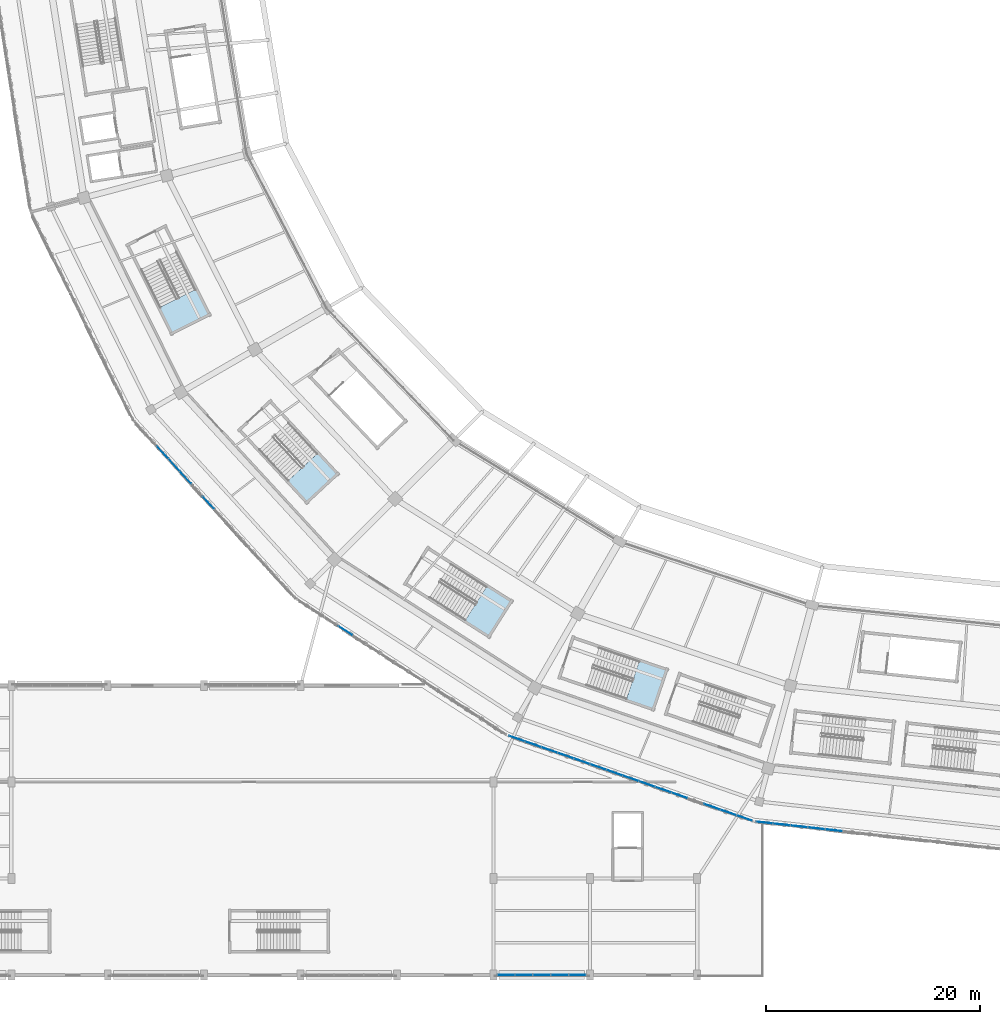
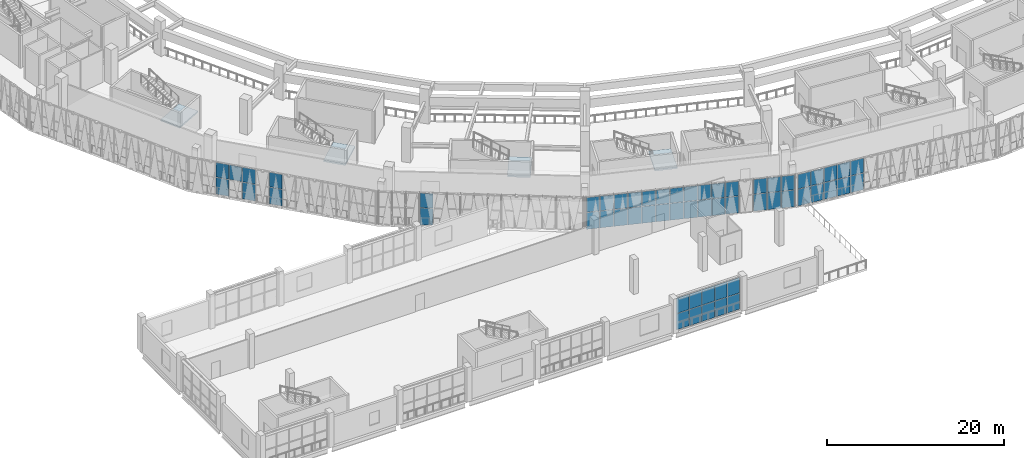
# One storey, part 77 of 179: 57 plates, 4 slabs, 9 elements without a shape of their own.
"""IFC4 building model written with IfcOpenShell, lengths in metres."""

from ifc_helpers import new_model, si_unit, direction, frame, origin, origin_2d, place, context, subcontext, project, spatial, polyline, rectangle, outline, extrude, material, layer, layer_set, type_object, element, aggregate, save


model = new_model("IFC4")

# Units and contexts
model_context = context("Model", 3, precision=1e-05, world=origin(), true_north=direction((0.0, 1.0)))
body_context = subcontext(model_context, "Body", "Model", "MODEL_VIEW")
ifc_project = project(units=[si_unit("LENGTHUNIT", "METRE"), si_unit("AREAUNIT", "SQUARE_METRE"), si_unit("VOLUMEUNIT", "CUBIC_METRE"), si_unit("PLANEANGLEUNIT", "RADIAN"), si_unit("MASSUNIT", "GRAM", prefix="KILO")], contexts=[model_context])

# Site, building, storey
site_placement = place(None, origin())
site = spatial("IfcSite", under=ifc_project, at=site_placement, CompositionType="ELEMENT")
building_placement = place(site_placement, origin())
building = spatial("IfcBuilding", under=site, at=building_placement, Name="Zevraka Park Crest Stadium", CompositionType="ELEMENT")
storey_placement = place(building_placement, frame((0.0, 0.0, 10.199951171875)))
storey = spatial("IfcBuildingStorey", under=building, at=storey_placement, Name="L02", CompositionType="ELEMENT", Elevation=10.199951171875)

# Curtain wall, plates
ifc_material_1 = material(Name="Anodised architectural aluminium and laminated safety glass", Category="aluminium")
curtain_wall_type_1 = type_object("IfcCurtainWallType", Name="CW06", PredefinedType="NOTDEFINED", material=ifc_material_1)
curtain_wall_1_placement = place(storey_placement, origin())
curtain_wall_1 = element("IfcCurtainWall", 1, at=curtain_wall_1_placement, inside=storey, type_object=curtain_wall_type_1, Name="Unitised Ring Curtain Wall CW06 L02-17", PredefinedType="NOTDEFINED")
ifc_material_2 = material(Name="Solar-control laminated double glazing", Category="glass")
ifc_layer_1 = layer(ifc_material_2, 0.028076171875)
ifc_layer_set_1 = layer_set([ifc_layer_1], Name="Solar-control laminated double glazing")
plate_type_1 = type_object("IfcPlateType", Name="CP06", PredefinedType="CURTAIN_PANEL", material=ifc_layer_set_1)
plate_1_placement = place(storey_placement, frame((88.262939453125, 14.214599609375, 0.070068359375), z_axis=(0.0, 0.0, 1.0), x_axis=(0.993899099743, -0.110293152687, 0.0)))
plate_1 = element("IfcPlate", 2, at=plate_1_placement, type_object=plate_type_1, Name="CW06 panel 1.1", PredefinedType="CURTAIN_PANEL", context=body_context, shape_type="SweptSolid", body=[
    extrude(rectangle(XDim=1.5341796875, YDim=0.028076171875, at=origin_2d()), origin(), (0.0, 0.0, 1.0), 2.294921875),
])
plate_2_placement = place(storey_placement, frame((88.262939453125, 14.214599609375, 2.43505859375), z_axis=(0.0, 0.0, 1.0), x_axis=(0.993899099743, -0.110293152687, 0.0)))
plate_2 = element("IfcPlate", 3, at=plate_2_placement, type_object=plate_type_1, Name="CW06 panel 1.2", PredefinedType="CURTAIN_PANEL", context=body_context, shape_type="SweptSolid", body=[
    extrude(rectangle(XDim=1.5341796875, YDim=0.028076171875, at=origin_2d()), origin(), (0.0, 0.0, 1.0), 1.9951171875),
])
plate_3_placement = place(storey_placement, frame((89.875, 14.035888671875, 0.070068359375), z_axis=(0.0, 0.0, 1.0), x_axis=(0.993899099743, -0.110293152687, 0.0)))
plate_3 = element("IfcPlate", 4, at=plate_3_placement, type_object=plate_type_1, Name="CW06 panel 2.1", PredefinedType="CURTAIN_PANEL", context=body_context, shape_type="SweptSolid", body=[
    extrude(rectangle(XDim=1.5693359375, YDim=0.028076171875, at=origin_2d()), origin(), (0.0, 0.0, 1.0), 2.294921875),
])
plate_4_placement = place(storey_placement, frame((89.875, 14.035888671875, 2.43505859375), z_axis=(0.0, 0.0, 1.0), x_axis=(0.993899099743, -0.110293152687, 0.0)))
plate_4 = element("IfcPlate", 5, at=plate_4_placement, type_object=plate_type_1, Name="CW06 panel 2.2", PredefinedType="CURTAIN_PANEL", context=body_context, shape_type="SweptSolid", body=[
    extrude(rectangle(XDim=1.5693359375, YDim=0.028076171875, at=origin_2d()), origin(), (0.0, 0.0, 1.0), 1.9951171875),
])
plate_5_placement = place(storey_placement, frame((91.504150390625, 13.85498046875, 0.070068359375), z_axis=(0.0, 0.0, 1.0), x_axis=(0.993899099743, -0.110293152687, 0.0)))
plate_5 = element("IfcPlate", 6, at=plate_5_placement, type_object=plate_type_1, Name="CW06 panel 3.1", PredefinedType="CURTAIN_PANEL", context=body_context, shape_type="SweptSolid", body=[
    extrude(rectangle(XDim=1.5693359375, YDim=0.028076171875, at=origin_2d()), origin(), (0.0, 0.0, 1.0), 2.294921875),
])
plate_6_placement = place(storey_placement, frame((91.504150390625, 13.85498046875, 2.43505859375), z_axis=(0.0, 0.0, 1.0), x_axis=(0.993899099743, -0.110293152687, 0.0)))
plate_6 = element("IfcPlate", 7, at=plate_6_placement, type_object=plate_type_1, Name="CW06 panel 3.2", PredefinedType="CURTAIN_PANEL", context=body_context, shape_type="SweptSolid", body=[
    extrude(rectangle(XDim=1.5693359375, YDim=0.028076171875, at=origin_2d()), origin(), (0.0, 0.0, 1.0), 1.9951171875),
])
plate_7_placement = place(storey_placement, frame((93.133544921875, 13.67431640625, 0.070068359375), z_axis=(0.0, 0.0, 1.0), x_axis=(0.993899099743, -0.110293152687, 0.0)))
plate_7 = element("IfcPlate", 8, at=plate_7_placement, type_object=plate_type_1, Name="CW06 panel 4.1", PredefinedType="CURTAIN_PANEL", context=body_context, shape_type="SweptSolid", body=[
    extrude(rectangle(XDim=1.5693359375, YDim=0.028076171875, at=origin_2d()), origin(), (0.0, 0.0, 1.0), 2.294921875),
])
plate_8_placement = place(storey_placement, frame((93.133544921875, 13.67431640625, 2.43505859375), z_axis=(0.0, 0.0, 1.0), x_axis=(0.993899099743, -0.110293152687, 0.0)))
plate_8 = element("IfcPlate", 9, at=plate_8_placement, type_object=plate_type_1, Name="CW06 panel 4.2", PredefinedType="CURTAIN_PANEL", context=body_context, shape_type="SweptSolid", body=[
    extrude(rectangle(XDim=1.5693359375, YDim=0.028076171875, at=origin_2d()), origin(), (0.0, 0.0, 1.0), 1.9951171875),
])
plate_9_placement = place(storey_placement, frame((94.7626953125, 13.493408203125, 0.070068359375), z_axis=(0.0, 0.0, 1.0), x_axis=(0.993899099743, -0.110293152687, 0.0)))
plate_9 = element("IfcPlate", 10, at=plate_9_placement, type_object=plate_type_1, Name="CW06 panel 5.1", PredefinedType="CURTAIN_PANEL", context=body_context, shape_type="SweptSolid", body=[
    extrude(rectangle(XDim=1.5693359375, YDim=0.028076171875, at=origin_2d()), origin(), (0.0, 0.0, 1.0), 2.294921875),
])
plate_10_placement = place(storey_placement, frame((94.7626953125, 13.493408203125, 2.43505859375), z_axis=(0.0, 0.0, 1.0), x_axis=(0.993899099743, -0.110293152687, 0.0)))
plate_10 = element("IfcPlate", 11, at=plate_10_placement, type_object=plate_type_1, Name="CW06 panel 5.2", PredefinedType="CURTAIN_PANEL", context=body_context, shape_type="SweptSolid", body=[
    extrude(rectangle(XDim=1.5693359375, YDim=0.028076171875, at=origin_2d()), origin(), (0.0, 0.0, 1.0), 1.9951171875),
])
aggregate(curtain_wall_1, [plate_1, plate_2, plate_3, plate_4, plate_5, plate_6, plate_7, plate_8, plate_9, plate_10])

ifc_material_3 = material(Name="Anodised architectural aluminium and laminated safety glass", Category="aluminium")
curtain_wall_type_2 = type_object("IfcCurtainWallType", Name="CW07", PredefinedType="NOTDEFINED", material=ifc_material_3)
curtain_wall_2_placement = place(storey_placement, origin())
curtain_wall_2 = element("IfcCurtainWall", 12, at=curtain_wall_2_placement, inside=storey, type_object=curtain_wall_type_2, Name="Unitised Ring Curtain Wall CW07 L02-16", PredefinedType="NOTDEFINED")
ifc_material_4 = material(Name="Solar-control laminated double glazing", Category="glass")
ifc_layer_2 = layer(ifc_material_4, 0.028076171875)
ifc_layer_set_2 = layer_set([ifc_layer_2], Name="Solar-control laminated double glazing")
plate_type_2 = type_object("IfcPlateType", Name="CP07", PredefinedType="CURTAIN_PANEL", material=ifc_layer_set_2)
plate_11_placement = place(storey_placement, frame((65.18212890625, 22.044189453125, 0.06005859375), z_axis=(0.0, 0.0, 1.0), x_axis=(0.944114076789, -0.329618886002, 0.0)))
plate_11 = element("IfcPlate", 13, at=plate_11_placement, type_object=plate_type_2, Name="CW07 panel 1.1", PredefinedType="CURTAIN_PANEL", context=body_context, shape_type="SweptSolid", body=[
    extrude(rectangle(XDim=1.517822265625, YDim=0.028076171875, at=origin_2d()), origin(), (0.0, 0.0, 1.0), 2.31005859375),
])
plate_12_placement = place(storey_placement, frame((65.18212890625, 22.044189453125, 2.43017578125), z_axis=(0.0, 0.0, 1.0), x_axis=(0.944114076789, -0.329618886002, 0.0)))
plate_12 = element("IfcPlate", 14, at=plate_12_placement, type_object=plate_type_2, Name="CW07 panel 1.2", PredefinedType="CURTAIN_PANEL", context=body_context, shape_type="SweptSolid", body=[
    extrude(rectangle(XDim=1.517822265625, YDim=0.028076171875, at=origin_2d()), origin(), (0.0, 0.0, 1.0), 2.010009765625),
])
plate_13_placement = place(storey_placement, frame((66.685791015625, 21.51904296875, 0.06005859375), z_axis=(0.0, 0.0, 1.0), x_axis=(0.944114076789, -0.329618886002, 0.0)))
plate_13 = element("IfcPlate", 15, at=plate_13_placement, type_object=plate_type_2, Name="CW07 panel 2.1", PredefinedType="CURTAIN_PANEL", context=body_context, shape_type="SweptSolid", body=[
    extrude(rectangle(XDim=1.547607421875, YDim=0.028076171875, at=origin_2d()), origin(), (0.0, 0.0, 1.0), 2.31005859375),
])
plate_14_placement = place(storey_placement, frame((66.685791015625, 21.51904296875, 2.43017578125), z_axis=(0.0, 0.0, 1.0), x_axis=(0.944114076789, -0.329618886002, 0.0)))
plate_14 = element("IfcPlate", 16, at=plate_14_placement, type_object=plate_type_2, Name="CW07 panel 2.2", PredefinedType="CURTAIN_PANEL", context=body_context, shape_type="SweptSolid", body=[
    extrude(rectangle(XDim=1.547607421875, YDim=0.028076171875, at=origin_2d()), origin(), (0.0, 0.0, 1.0), 2.010009765625),
])
plate_15_placement = place(storey_placement, frame((68.20361328125, 20.9892578125, 0.06005859375), z_axis=(0.0, 0.0, 1.0), x_axis=(0.944114076789, -0.329618886002, 0.0)))
plate_15 = element("IfcPlate", 17, at=plate_15_placement, type_object=plate_type_2, Name="CW07 panel 3.1", PredefinedType="CURTAIN_PANEL", context=body_context, shape_type="SweptSolid", body=[
    extrude(rectangle(XDim=1.547607421875, YDim=0.028076171875, at=origin_2d()), origin(), (0.0, 0.0, 1.0), 2.31005859375),
])
plate_16_placement = place(storey_placement, frame((68.20361328125, 20.9892578125, 2.43017578125), z_axis=(0.0, 0.0, 1.0), x_axis=(0.944114076789, -0.329618886002, 0.0)))
plate_16 = element("IfcPlate", 18, at=plate_16_placement, type_object=plate_type_2, Name="CW07 panel 3.2", PredefinedType="CURTAIN_PANEL", context=body_context, shape_type="SweptSolid", body=[
    extrude(rectangle(XDim=1.547607421875, YDim=0.028076171875, at=origin_2d()), origin(), (0.0, 0.0, 1.0), 2.010009765625),
])
plate_17_placement = place(storey_placement, frame((69.721435546875, 20.459228515625, 0.06005859375), z_axis=(0.0, 0.0, 1.0), x_axis=(0.944114076789, -0.329618886002, 0.0)))
plate_17 = element("IfcPlate", 19, at=plate_17_placement, type_object=plate_type_2, Name="CW07 panel 4.1", PredefinedType="CURTAIN_PANEL", context=body_context, shape_type="SweptSolid", body=[
    extrude(rectangle(XDim=1.547607421875, YDim=0.028076171875, at=origin_2d()), origin(), (0.0, 0.0, 1.0), 2.31005859375),
])
plate_18_placement = place(storey_placement, frame((69.721435546875, 20.459228515625, 2.43017578125), z_axis=(0.0, 0.0, 1.0), x_axis=(0.944114076789, -0.329618886002, 0.0)))
plate_18 = element("IfcPlate", 20, at=plate_18_placement, type_object=plate_type_2, Name="CW07 panel 4.2", PredefinedType="CURTAIN_PANEL", context=body_context, shape_type="SweptSolid", body=[
    extrude(rectangle(XDim=1.547607421875, YDim=0.028076171875, at=origin_2d()), origin(), (0.0, 0.0, 1.0), 2.010009765625),
])
plate_19_placement = place(storey_placement, frame((71.239501953125, 19.92919921875, 0.06005859375), z_axis=(0.0, 0.0, 1.0), x_axis=(0.944114076789, -0.329618886002, 0.0)))
plate_19 = element("IfcPlate", 21, at=plate_19_placement, type_object=plate_type_2, Name="CW07 panel 5.1", PredefinedType="CURTAIN_PANEL", context=body_context, shape_type="SweptSolid", body=[
    extrude(rectangle(XDim=1.547607421875, YDim=0.028076171875, at=origin_2d()), origin(), (0.0, 0.0, 1.0), 2.31005859375),
])
plate_20_placement = place(storey_placement, frame((71.239501953125, 19.92919921875, 2.43017578125), z_axis=(0.0, 0.0, 1.0), x_axis=(0.944114076789, -0.329618886002, 0.0)))
plate_20 = element("IfcPlate", 22, at=plate_20_placement, type_object=plate_type_2, Name="CW07 panel 5.2", PredefinedType="CURTAIN_PANEL", context=body_context, shape_type="SweptSolid", body=[
    extrude(rectangle(XDim=1.547607421875, YDim=0.028076171875, at=origin_2d()), origin(), (0.0, 0.0, 1.0), 2.010009765625),
])
plate_21_placement = place(storey_placement, frame((72.75732421875, 19.3994140625, 0.06005859375), z_axis=(0.0, 0.0, 1.0), x_axis=(0.944114076789, -0.329618886002, 0.0)))
plate_21 = element("IfcPlate", 23, at=plate_21_placement, type_object=plate_type_2, Name="CW07 panel 6.1", PredefinedType="CURTAIN_PANEL", context=body_context, shape_type="SweptSolid", body=[
    extrude(rectangle(XDim=1.547607421875, YDim=0.028076171875, at=origin_2d()), origin(), (0.0, 0.0, 1.0), 2.31005859375),
])
plate_22_placement = place(storey_placement, frame((72.75732421875, 19.3994140625, 2.43017578125), z_axis=(0.0, 0.0, 1.0), x_axis=(0.944114076789, -0.329618886002, 0.0)))
plate_22 = element("IfcPlate", 24, at=plate_22_placement, type_object=plate_type_2, Name="CW07 panel 6.2", PredefinedType="CURTAIN_PANEL", context=body_context, shape_type="SweptSolid", body=[
    extrude(rectangle(XDim=1.547607421875, YDim=0.028076171875, at=origin_2d()), origin(), (0.0, 0.0, 1.0), 2.010009765625),
])
plate_23_placement = place(storey_placement, frame((74.275146484375, 18.869384765625, 0.06005859375), z_axis=(0.0, 0.0, 1.0), x_axis=(0.944114076789, -0.329618886002, 0.0)))
plate_23 = element("IfcPlate", 25, at=plate_23_placement, type_object=plate_type_2, Name="CW07 panel 7.1", PredefinedType="CURTAIN_PANEL", context=body_context, shape_type="SweptSolid", body=[
    extrude(rectangle(XDim=1.547607421875, YDim=0.028076171875, at=origin_2d()), origin(), (0.0, 0.0, 1.0), 2.31005859375),
])
plate_24_placement = place(storey_placement, frame((74.275146484375, 18.869384765625, 2.43017578125), z_axis=(0.0, 0.0, 1.0), x_axis=(0.944114076789, -0.329618886002, 0.0)))
plate_24 = element("IfcPlate", 26, at=plate_24_placement, type_object=plate_type_2, Name="CW07 panel 7.2", PredefinedType="CURTAIN_PANEL", context=body_context, shape_type="SweptSolid", body=[
    extrude(rectangle(XDim=1.547607421875, YDim=0.028076171875, at=origin_2d()), origin(), (0.0, 0.0, 1.0), 2.010009765625),
])
plate_25_placement = place(storey_placement, frame((75.79296875, 18.339599609375, 0.06005859375), z_axis=(0.0, 0.0, 1.0), x_axis=(0.944114076789, -0.329618886002, 0.0)))
plate_25 = element("IfcPlate", 27, at=plate_25_placement, type_object=plate_type_2, Name="CW07 panel 8.1", PredefinedType="CURTAIN_PANEL", context=body_context, shape_type="SweptSolid", body=[
    extrude(rectangle(XDim=1.547607421875, YDim=0.028076171875, at=origin_2d()), origin(), (0.0, 0.0, 1.0), 2.31005859375),
])
plate_26_placement = place(storey_placement, frame((75.79296875, 18.339599609375, 2.43017578125), z_axis=(0.0, 0.0, 1.0), x_axis=(0.944114076789, -0.329618886002, 0.0)))
plate_26 = element("IfcPlate", 28, at=plate_26_placement, type_object=plate_type_2, Name="CW07 panel 8.2", PredefinedType="CURTAIN_PANEL", context=body_context, shape_type="SweptSolid", body=[
    extrude(rectangle(XDim=1.547607421875, YDim=0.028076171875, at=origin_2d()), origin(), (0.0, 0.0, 1.0), 2.010009765625),
])
plate_27_placement = place(storey_placement, frame((77.310791015625, 17.8095703125, 0.06005859375), z_axis=(0.0, 0.0, 1.0), x_axis=(0.944114076789, -0.329618886002, 0.0)))
plate_27 = element("IfcPlate", 29, at=plate_27_placement, type_object=plate_type_2, Name="CW07 panel 9.1", PredefinedType="CURTAIN_PANEL", context=body_context, shape_type="SweptSolid", body=[
    extrude(rectangle(XDim=1.547607421875, YDim=0.028076171875, at=origin_2d()), origin(), (0.0, 0.0, 1.0), 2.31005859375),
])
plate_28_placement = place(storey_placement, frame((77.310791015625, 17.8095703125, 2.43017578125), z_axis=(0.0, 0.0, 1.0), x_axis=(0.944114076789, -0.329618886002, 0.0)))
plate_28 = element("IfcPlate", 30, at=plate_28_placement, type_object=plate_type_2, Name="CW07 panel 9.2", PredefinedType="CURTAIN_PANEL", context=body_context, shape_type="SweptSolid", body=[
    extrude(rectangle(XDim=1.547607421875, YDim=0.028076171875, at=origin_2d()), origin(), (0.0, 0.0, 1.0), 2.010009765625),
])
plate_29_placement = place(storey_placement, frame((78.82861328125, 17.279541015625, 0.06005859375), z_axis=(0.0, 0.0, 1.0), x_axis=(0.944114076789, -0.329618886002, 0.0)))
plate_29 = element("IfcPlate", 31, at=plate_29_placement, type_object=plate_type_2, Name="CW07 panel 10.1", PredefinedType="CURTAIN_PANEL", context=body_context, shape_type="SweptSolid", body=[
    extrude(rectangle(XDim=1.547607421875, YDim=0.028076171875, at=origin_2d()), origin(), (0.0, 0.0, 1.0), 2.31005859375),
])
plate_30_placement = place(storey_placement, frame((78.82861328125, 17.279541015625, 2.43017578125), z_axis=(0.0, 0.0, 1.0), x_axis=(0.944114076789, -0.329618886002, 0.0)))
plate_30 = element("IfcPlate", 32, at=plate_30_placement, type_object=plate_type_2, Name="CW07 panel 10.2", PredefinedType="CURTAIN_PANEL", context=body_context, shape_type="SweptSolid", body=[
    extrude(rectangle(XDim=1.547607421875, YDim=0.028076171875, at=origin_2d()), origin(), (0.0, 0.0, 1.0), 2.010009765625),
])
plate_31_placement = place(storey_placement, frame((80.3466796875, 16.749755859375, 0.06005859375), z_axis=(0.0, 0.0, 1.0), x_axis=(0.944114076789, -0.329618886002, 0.0)))
plate_31 = element("IfcPlate", 33, at=plate_31_placement, type_object=plate_type_2, Name="CW07 panel 11.1", PredefinedType="CURTAIN_PANEL", context=body_context, shape_type="SweptSolid", body=[
    extrude(rectangle(XDim=1.547607421875, YDim=0.028076171875, at=origin_2d()), origin(), (0.0, 0.0, 1.0), 2.31005859375),
])
plate_32_placement = place(storey_placement, frame((80.3466796875, 16.749755859375, 2.43017578125), z_axis=(0.0, 0.0, 1.0), x_axis=(0.944114076789, -0.329618886002, 0.0)))
plate_32 = element("IfcPlate", 34, at=plate_32_placement, type_object=plate_type_2, Name="CW07 panel 11.2", PredefinedType="CURTAIN_PANEL", context=body_context, shape_type="SweptSolid", body=[
    extrude(rectangle(XDim=1.547607421875, YDim=0.028076171875, at=origin_2d()), origin(), (0.0, 0.0, 1.0), 2.010009765625),
])
plate_33_placement = place(storey_placement, frame((83.38232421875, 15.68994140625, 0.06005859375), z_axis=(0.0, 0.0, 1.0), x_axis=(0.944114076789, -0.329618886002, 0.0)))
plate_33 = element("IfcPlate", 35, at=plate_33_placement, type_object=plate_type_2, Name="CW07 panel 13.1", PredefinedType="CURTAIN_PANEL", context=body_context, shape_type="SweptSolid", body=[
    extrude(rectangle(XDim=1.547607421875, YDim=0.028076171875, at=origin_2d()), origin(), (0.0, 0.0, 1.0), 2.31005859375),
])
plate_34_placement = place(storey_placement, frame((83.38232421875, 15.68994140625, 2.43017578125), z_axis=(0.0, 0.0, 1.0), x_axis=(0.944114076789, -0.329618886002, 0.0)))
plate_34 = element("IfcPlate", 36, at=plate_34_placement, type_object=plate_type_2, Name="CW07 panel 13.2", PredefinedType="CURTAIN_PANEL", context=body_context, shape_type="SweptSolid", body=[
    extrude(rectangle(XDim=1.547607421875, YDim=0.028076171875, at=origin_2d()), origin(), (0.0, 0.0, 1.0), 2.010009765625),
])
plate_35_placement = place(storey_placement, frame((84.900146484375, 15.159912109375, 0.06005859375), z_axis=(0.0, 0.0, 1.0), x_axis=(0.944114076789, -0.329618886002, 0.0)))
plate_35 = element("IfcPlate", 37, at=plate_35_placement, type_object=plate_type_2, Name="CW07 panel 14.1", PredefinedType="CURTAIN_PANEL", context=body_context, shape_type="SweptSolid", body=[
    extrude(rectangle(XDim=1.547607421875, YDim=0.028076171875, at=origin_2d()), origin(), (0.0, 0.0, 1.0), 2.31005859375),
])
plate_36_placement = place(storey_placement, frame((84.900146484375, 15.159912109375, 2.43017578125), z_axis=(0.0, 0.0, 1.0), x_axis=(0.944114076789, -0.329618886002, 0.0)))
plate_36 = element("IfcPlate", 38, at=plate_36_placement, type_object=plate_type_2, Name="CW07 panel 14.2", PredefinedType="CURTAIN_PANEL", context=body_context, shape_type="SweptSolid", body=[
    extrude(rectangle(XDim=1.547607421875, YDim=0.028076171875, at=origin_2d()), origin(), (0.0, 0.0, 1.0), 2.010009765625),
])
plate_37_placement = place(storey_placement, frame((86.40380859375, 14.635009765625, 0.06005859375), z_axis=(0.0, 0.0, 1.0), x_axis=(0.944114076789, -0.329618886002, 0.0)))
plate_37 = element("IfcPlate", 39, at=plate_37_placement, type_object=plate_type_2, Name="CW07 panel 15.1", PredefinedType="CURTAIN_PANEL", context=body_context, shape_type="SweptSolid", body=[
    extrude(rectangle(XDim=1.517822265625, YDim=0.028076171875, at=origin_2d()), origin(), (0.0, 0.0, 1.0), 2.31005859375),
])
plate_38_placement = place(storey_placement, frame((86.40380859375, 14.635009765625, 2.43017578125), z_axis=(0.0, 0.0, 1.0), x_axis=(0.944114076789, -0.329618886002, 0.0)))
plate_38 = element("IfcPlate", 40, at=plate_38_placement, type_object=plate_type_2, Name="CW07 panel 15.2", PredefinedType="CURTAIN_PANEL", context=body_context, shape_type="SweptSolid", body=[
    extrude(rectangle(XDim=1.517822265625, YDim=0.028076171875, at=origin_2d()), origin(), (0.0, 0.0, 1.0), 2.010009765625),
])
aggregate(curtain_wall_2, [plate_11, plate_12, plate_13, plate_14, plate_15, plate_16, plate_17, plate_18, plate_19, plate_20, plate_21, plate_22, plate_23, plate_24, plate_25, plate_26, plate_27, plate_28, plate_29, plate_30, plate_31, plate_32, plate_33, plate_34, plate_35, plate_36, plate_37, plate_38])

ifc_material_5 = material(Name="Anodised architectural aluminium and laminated safety glass", Category="aluminium")
curtain_wall_type_3 = type_object("IfcCurtainWallType", Name="CW08", PredefinedType="NOTDEFINED", material=ifc_material_5)
curtain_wall_3_placement = place(storey_placement, origin())
curtain_wall_3 = element("IfcCurtainWall", 41, at=curtain_wall_3_placement, inside=storey, type_object=curtain_wall_type_3, Name="Unitised Ring Curtain Wall CW08 L02-14", PredefinedType="NOTDEFINED")
ifc_material_6 = material(Name="Solar-control laminated double glazing", Category="glass")
ifc_layer_3 = layer(ifc_material_6, 0.028076171875)
ifc_layer_set_3 = layer_set([ifc_layer_3], Name="Solar-control laminated double glazing")
plate_type_3 = type_object("IfcPlateType", Name="CP08", PredefinedType="CURTAIN_PANEL", material=ifc_layer_set_3)
plate_39_placement = place(storey_placement, frame((32.12451171875, 48.759765625, 0.06494140625), z_axis=(0.0, 0.0, 1.0), x_axis=(0.673159987494, -0.739496877097, 0.0)))
plate_39 = element("IfcPlate", 42, at=plate_39_placement, type_object=plate_type_3, Name="CW08 panel 3.1", PredefinedType="CURTAIN_PANEL", context=body_context, shape_type="SweptSolid", body=[
    extrude(rectangle(XDim=1.525390625, YDim=0.028076171875, at=origin_2d()), origin(), (0.0, 0.0, 1.0), 2.302490234375),
])
plate_40_placement = place(storey_placement, frame((32.12451171875, 48.759765625, 2.4326171875), z_axis=(0.0, 0.0, 1.0), x_axis=(0.673159987494, -0.739496877097, 0.0)))
plate_40 = element("IfcPlate", 43, at=plate_40_placement, type_object=plate_type_3, Name="CW08 panel 3.2", PredefinedType="CURTAIN_PANEL", context=body_context, shape_type="SweptSolid", body=[
    extrude(rectangle(XDim=1.525390625, YDim=0.028076171875, at=origin_2d()), origin(), (0.0, 0.0, 1.0), 2.00244140625),
])
plate_41_placement = place(storey_placement, frame((33.195068359375, 47.583740234375, 2.4326171875), z_axis=(0.0, 0.0, 1.0), x_axis=(0.673159987494, -0.739496877097, 0.0)))
plate_41 = element("IfcPlate", 44, at=plate_41_placement, type_object=plate_type_3, Name="CW08 panel 4.2", PredefinedType="CURTAIN_PANEL", context=body_context, shape_type="SweptSolid", body=[
    extrude(rectangle(XDim=1.525390625, YDim=0.028076171875, at=origin_2d()), origin(), (0.0, 0.0, 1.0), 2.00244140625),
])
plate_42_placement = place(storey_placement, frame((34.265625, 46.40771484375, 0.06494140625), z_axis=(0.0, 0.0, 1.0), x_axis=(0.673159987494, -0.739496877097, 0.0)))
plate_42 = element("IfcPlate", 45, at=plate_42_placement, type_object=plate_type_3, Name="CW08 panel 5.1", PredefinedType="CURTAIN_PANEL", context=body_context, shape_type="SweptSolid", body=[
    extrude(rectangle(XDim=1.525390625, YDim=0.028076171875, at=origin_2d()), origin(), (0.0, 0.0, 1.0), 2.302490234375),
])
plate_43_placement = place(storey_placement, frame((34.265625, 46.40771484375, 2.4326171875), z_axis=(0.0, 0.0, 1.0), x_axis=(0.673159987494, -0.739496877097, 0.0)))
plate_43 = element("IfcPlate", 46, at=plate_43_placement, type_object=plate_type_3, Name="CW08 panel 5.2", PredefinedType="CURTAIN_PANEL", context=body_context, shape_type="SweptSolid", body=[
    extrude(rectangle(XDim=1.525390625, YDim=0.028076171875, at=origin_2d()), origin(), (0.0, 0.0, 1.0), 2.00244140625),
])
plate_44_placement = place(storey_placement, frame((36.40673828125, 44.055419921875, 0.06494140625), z_axis=(0.0, 0.0, 1.0), x_axis=(0.673159987494, -0.739496877097, 0.0)))
plate_44 = element("IfcPlate", 47, at=plate_44_placement, type_object=plate_type_3, Name="CW08 panel 7.1", PredefinedType="CURTAIN_PANEL", context=body_context, shape_type="SweptSolid", body=[
    extrude(rectangle(XDim=1.525390625, YDim=0.028076171875, at=origin_2d()), origin(), (0.0, 0.0, 1.0), 2.302490234375),
])
plate_45_placement = place(storey_placement, frame((36.40673828125, 44.055419921875, 2.4326171875), z_axis=(0.0, 0.0, 1.0), x_axis=(0.673159987494, -0.739496877097, 0.0)))
plate_45 = element("IfcPlate", 48, at=plate_45_placement, type_object=plate_type_3, Name="CW08 panel 7.2", PredefinedType="CURTAIN_PANEL", context=body_context, shape_type="SweptSolid", body=[
    extrude(rectangle(XDim=1.525390625, YDim=0.028076171875, at=origin_2d()), origin(), (0.0, 0.0, 1.0), 2.00244140625),
])
aggregate(curtain_wall_3, [plate_39, plate_40, plate_41, plate_42, plate_43, plate_44, plate_45])

curtain_wall_4_placement = place(storey_placement, origin())
curtain_wall_4 = element("IfcCurtainWall", 49, at=curtain_wall_4_placement, inside=storey, type_object=curtain_wall_type_3, Name="Unitised Ring Curtain Wall CW08 L02-15", PredefinedType="NOTDEFINED")
plate_46_placement = place(storey_placement, frame((49.1923828125, 32.119384765625, 0.06494140625), z_axis=(0.0, 0.0, 1.0), x_axis=(0.839670424967, -0.543096287444, 0.0)))
plate_46 = element("IfcPlate", 50, at=plate_46_placement, type_object=plate_type_3, Name="CW08 panel 4.1", PredefinedType="CURTAIN_PANEL", context=body_context, shape_type="SweptSolid", body=[
    extrude(rectangle(XDim=1.48681640625, YDim=0.028076171875, at=origin_2d()), origin(), (0.0, 0.0, 1.0), 2.302490234375),
])
plate_47_placement = place(storey_placement, frame((49.1923828125, 32.119384765625, 2.4326171875), z_axis=(0.0, 0.0, 1.0), x_axis=(0.839670424967, -0.543096287444, 0.0)))
plate_47 = element("IfcPlate", 51, at=plate_47_placement, type_object=plate_type_3, Name="CW08 panel 4.2", PredefinedType="CURTAIN_PANEL", context=body_context, shape_type="SweptSolid", body=[
    extrude(rectangle(XDim=1.48681640625, YDim=0.028076171875, at=origin_2d()), origin(), (0.0, 0.0, 1.0), 2.00244140625),
])
aggregate(curtain_wall_4, [plate_46, plate_47])

ifc_material_7 = material(Name="Anodised architectural aluminium and laminated safety glass", Category="aluminium")
curtain_wall_type_4 = type_object("IfcCurtainWallType", Name="CW29", PredefinedType="NOTDEFINED", material=ifc_material_7)
curtain_wall_5_placement = place(storey_placement, origin())
curtain_wall_5 = element("IfcCurtainWall", 52, at=curtain_wall_5_placement, inside=storey, type_object=curtain_wall_type_4, Name="Wing Curtain Wall CW29 L02-SW-S1-2", PredefinedType="NOTDEFINED")
ifc_material_8 = material(Name="Solar-control laminated double glazing", Category="glass")
ifc_layer_4 = layer(ifc_material_8, 0.035888671875)
ifc_layer_set_4 = layer_set([ifc_layer_4], Name="Solar-control laminated double glazing")
plate_type_4 = type_object("IfcPlateType", Name="CP29", PredefinedType="CURTAIN_PANEL", material=ifc_layer_set_4)
plate_48_placement = place(storey_placement, frame((70.831787109375, 0.0, 0.06494140625), z_axis=(0.0, 0.0, 1.0), x_axis=(-1.0, 0.0, 0.0)))
plate_48 = element("IfcPlate", 53, at=plate_48_placement, type_object=plate_type_4, Name="CW29 panel 1.1", PredefinedType="CURTAIN_PANEL", context=body_context, shape_type="SweptSolid", body=[
    extrude(rectangle(XDim=1.576416015625, YDim=0.035888671875, at=origin_2d()), origin(), (0.0, 0.0, 1.0), 2.202392578125),
])
plate_49_placement = place(storey_placement, frame((70.831787109375, 0.0, 2.33251953125), z_axis=(0.0, 0.0, 1.0), x_axis=(-1.0, 0.0, 0.0)))
plate_49 = element("IfcPlate", 54, at=plate_49_placement, type_object=plate_type_4, Name="CW29 panel 1.2", PredefinedType="CURTAIN_PANEL", context=body_context, shape_type="SweptSolid", body=[
    extrude(rectangle(XDim=1.576416015625, YDim=0.035888671875, at=origin_2d()), origin(), (0.0, 0.0, 1.0), 2.1025390625),
])
plate_50_placement = place(storey_placement, frame((69.174072265625, 0.0, 0.06494140625), z_axis=(0.0, 0.0, 1.0), x_axis=(-1.0, 0.0, 0.0)))
plate_50 = element("IfcPlate", 55, at=plate_50_placement, type_object=plate_type_4, Name="CW29 panel 2.1", PredefinedType="CURTAIN_PANEL", context=body_context, shape_type="SweptSolid", body=[
    extrude(rectangle(XDim=1.60888671875, YDim=0.035888671875, at=origin_2d()), origin(), (0.0, 0.0, 1.0), 2.202392578125),
])
plate_51_placement = place(storey_placement, frame((69.174072265625, 0.0, 2.33251953125), z_axis=(0.0, 0.0, 1.0), x_axis=(-1.0, 0.0, 0.0)))
plate_51 = element("IfcPlate", 56, at=plate_51_placement, type_object=plate_type_4, Name="CW29 panel 2.2", PredefinedType="CURTAIN_PANEL", context=body_context, shape_type="SweptSolid", body=[
    extrude(rectangle(XDim=1.60888671875, YDim=0.035888671875, at=origin_2d()), origin(), (0.0, 0.0, 1.0), 2.1025390625),
])
plate_52_placement = place(storey_placement, frame((67.5, 0.0, 0.06494140625), z_axis=(0.0, 0.0, 1.0), x_axis=(-1.0, 0.0, 0.0)))
plate_52 = element("IfcPlate", 57, at=plate_52_placement, type_object=plate_type_4, Name="CW29 panel 3.1", PredefinedType="CURTAIN_PANEL", context=body_context, shape_type="SweptSolid", body=[
    extrude(rectangle(XDim=1.60888671875, YDim=0.035888671875, at=origin_2d()), origin(), (0.0, 0.0, 1.0), 2.202392578125),
])
plate_53_placement = place(storey_placement, frame((67.5, 0.0, 2.33251953125), z_axis=(0.0, 0.0, 1.0), x_axis=(-1.0, 0.0, 0.0)))
plate_53 = element("IfcPlate", 58, at=plate_53_placement, type_object=plate_type_4, Name="CW29 panel 3.2", PredefinedType="CURTAIN_PANEL", context=body_context, shape_type="SweptSolid", body=[
    extrude(rectangle(XDim=1.60888671875, YDim=0.035888671875, at=origin_2d()), origin(), (0.0, 0.0, 1.0), 2.1025390625),
])
plate_54_placement = place(storey_placement, frame((65.825927734375, 0.0, 0.06494140625), z_axis=(0.0, 0.0, 1.0), x_axis=(-1.0, 0.0, 0.0)))
plate_54 = element("IfcPlate", 59, at=plate_54_placement, type_object=plate_type_4, Name="CW29 panel 4.1", PredefinedType="CURTAIN_PANEL", context=body_context, shape_type="SweptSolid", body=[
    extrude(rectangle(XDim=1.60888671875, YDim=0.035888671875, at=origin_2d()), origin(), (0.0, 0.0, 1.0), 2.202392578125),
])
plate_55_placement = place(storey_placement, frame((65.825927734375, 0.0, 2.33251953125), z_axis=(0.0, 0.0, 1.0), x_axis=(-1.0, 0.0, 0.0)))
plate_55 = element("IfcPlate", 60, at=plate_55_placement, type_object=plate_type_4, Name="CW29 panel 4.2", PredefinedType="CURTAIN_PANEL", context=body_context, shape_type="SweptSolid", body=[
    extrude(rectangle(XDim=1.60888671875, YDim=0.035888671875, at=origin_2d()), origin(), (0.0, 0.0, 1.0), 2.1025390625),
])
plate_56_placement = place(storey_placement, frame((64.168212890625, 0.0, 0.06494140625), z_axis=(0.0, 0.0, 1.0), x_axis=(-1.0, 0.0, 0.0)))
plate_56 = element("IfcPlate", 61, at=plate_56_placement, type_object=plate_type_4, Name="CW29 panel 5.1", PredefinedType="CURTAIN_PANEL", context=body_context, shape_type="SweptSolid", body=[
    extrude(rectangle(XDim=1.576416015625, YDim=0.035888671875, at=origin_2d()), origin(), (0.0, 0.0, 1.0), 2.202392578125),
])
plate_57_placement = place(storey_placement, frame((64.168212890625, 0.0, 2.33251953125), z_axis=(0.0, 0.0, 1.0), x_axis=(-1.0, 0.0, 0.0)))
plate_57 = element("IfcPlate", 62, at=plate_57_placement, type_object=plate_type_4, Name="CW29 panel 5.2", PredefinedType="CURTAIN_PANEL", context=body_context, shape_type="SweptSolid", body=[
    extrude(rectangle(XDim=1.576416015625, YDim=0.035888671875, at=origin_2d()), origin(), (0.0, 0.0, 1.0), 2.1025390625),
])
aggregate(curtain_wall_5, [plate_48, plate_49, plate_50, plate_51, plate_52, plate_53, plate_54, plate_55, plate_56, plate_57])

# Stair, slab
ifc_material_9 = material(Name="Concrete C35/45", Category="concrete")
stair_type = type_object("IfcStairType", Name="STA2", PredefinedType="HALF_TURN_STAIR", material=ifc_material_9)
stair_1_placement = place(storey_placement, origin())
stair_1 = element("IfcStair", 63, at=stair_1_placement, inside=storey, type_object=stair_type, Name="L02 Protected Concourse Exit Stair ST14", PredefinedType="HALF_TURN_STAIR")
ifc_material_10 = material(Name="Concrete C35/45", Category="concrete")
ifc_layer_5 = layer(ifc_material_10, 0.199951171875)
ifc_layer_set_5 = layer_set([ifc_layer_5], Name="Concrete C35/45")
slab_type = type_object("IfcSlabType", Name="LS01", PredefinedType="LANDING", material=ifc_layer_set_5)
slab_1_placement = place(storey_placement, frame((0.0, 0.0, 2.199951171875)))
slab_1 = element("IfcSlab", 64, at=slab_1_placement, type_object=slab_type, Name="ST14 landing 1", PredefinedType="LANDING", context=body_context, shape_type="SweptSolid", body=[
    extrude(outline(polyline([(31.853515625, 62.280029296875), (33.022705078125, 59.946533203125), (36.38427734375, 61.630859375), (35.21533203125, 63.96435546875), (31.853515625, 62.280029296875)])), origin(), (0.0, 0.0, 1.0), 0.2001953125),
])
aggregate(stair_1, [slab_1])

stair_2_placement = place(storey_placement, origin())
stair_2 = element("IfcStair", 65, at=stair_2_placement, inside=storey, type_object=stair_type, Name="L02 Protected Concourse Exit Stair ST15", PredefinedType="HALF_TURN_STAIR")
slab_2_placement = place(storey_placement, frame((0.0, 0.0, 2.199951171875)))
slab_2 = element("IfcSlab", 66, at=slab_2_placement, type_object=slab_type, Name="ST15 landing 1", PredefinedType="LANDING", context=body_context, shape_type="SweptSolid", body=[
    extrude(outline(polyline([(43.807861328125, 46.103759765625), (45.583251953125, 44.190673828125), (48.33935546875, 46.748291015625), (46.563720703125, 48.661376953125), (43.807861328125, 46.103759765625)])), origin(), (0.0, 0.0, 1.0), 0.2001953125),
])
aggregate(stair_2, [slab_2])

stair_3_placement = place(storey_placement, origin())
stair_3 = element("IfcStair", 67, at=stair_3_placement, inside=storey, type_object=stair_type, Name="L02 Protected Concourse Exit Stair ST16", PredefinedType="HALF_TURN_STAIR")
slab_3_placement = place(storey_placement, frame((0.0, 0.0, 2.199951171875)))
slab_3 = element("IfcSlab", 68, at=slab_3_placement, type_object=slab_type, Name="ST16 landing 1", PredefinedType="LANDING", context=body_context, shape_type="SweptSolid", body=[
    extrude(outline(polyline([(60.341796875, 33.069091796875), (62.5458984375, 31.670654296875), (64.56005859375, 34.845703125), (62.356201171875, 36.243896484375), (60.341796875, 33.069091796875)])), origin(), (0.0, 0.0, 1.0), 0.2001953125),
])
aggregate(stair_3, [slab_3])

stair_4_placement = place(storey_placement, origin())
stair_4 = element("IfcStair", 69, at=stair_4_placement, inside=storey, type_object=stair_type, Name="L02 Protected Concourse Exit Stair ST17", PredefinedType="HALF_TURN_STAIR")
slab_4_placement = place(storey_placement, frame((0.0, 0.0, 2.199951171875)))
slab_4 = element("IfcSlab", 70, at=slab_4_placement, type_object=slab_type, Name="ST17 landing 1", PredefinedType="LANDING", context=body_context, shape_type="SweptSolid", body=[
    extrude(outline(polyline([(75.378662109375, 25.717529296875), (77.847900390625, 24.8720703125), (79.06591796875, 28.42919921875), (76.596923828125, 29.27490234375), (75.378662109375, 25.717529296875)])), origin(), (0.0, 0.0, 1.0), 0.2001953125),
])
aggregate(stair_4, [slab_4])

save(model, "model.ifc")
